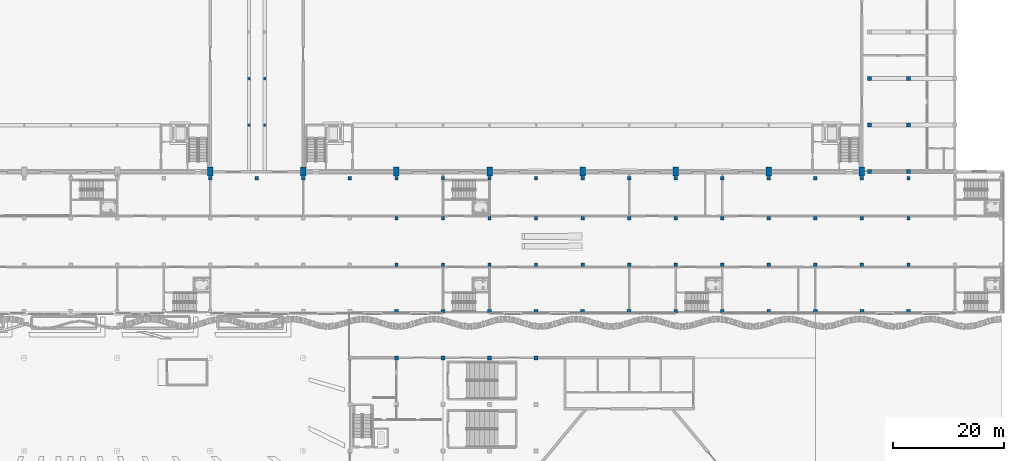
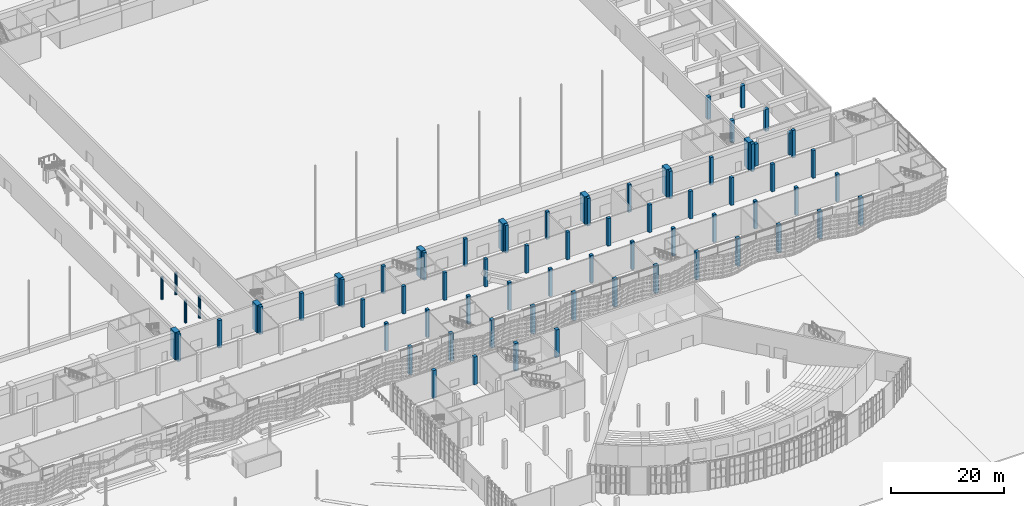
# One storey, part 17 of 210: 74 columns.
"""IFC4 building model written with IfcOpenShell, lengths in metres."""

from ifc_helpers import new_model, si_unit, direction, frame, origin, origin_2d, place, context, subcontext, project, spatial, rectangle, circle, extrude, material, material_profile, profile_set, type_object, element, save


model = new_model("IFC4")

# Units and contexts
model_context = context("Model", 3, precision=1e-05, world=origin(), true_north=direction((0.0, 1.0)))
body_context = subcontext(model_context, "Body", "Model", "MODEL_VIEW")
ifc_project = project(units=[si_unit("LENGTHUNIT", "METRE"), si_unit("AREAUNIT", "SQUARE_METRE"), si_unit("VOLUMEUNIT", "CUBIC_METRE"), si_unit("PLANEANGLEUNIT", "RADIAN"), si_unit("MASSUNIT", "GRAM", prefix="KILO")], contexts=[model_context])

# Site, building, storey
site_placement = place(None, origin())
site = spatial("IfcSite", under=ifc_project, at=site_placement, CompositionType="ELEMENT")
building_placement = place(site_placement, origin())
building = spatial("IfcBuilding", under=site, at=building_placement, Name="Rain Tree Exposition and Congress Centre", CompositionType="ELEMENT")
storey_placement = place(building_placement, origin())
storey = spatial("IfcBuildingStorey", under=building, at=storey_placement, Name="L00", CompositionType="ELEMENT", Elevation=0.0)

# Columns
ifc_material_1 = material(Name="Precast concrete C50/60", Category="concrete")
ifc_material_profile_1 = material_profile(ifc_material_1, rectangle(XDim=1.0, YDim=1.60009765625, at=origin_2d()), Name="RC 1000x1600")
ifc_profile_set_1 = profile_set([ifc_material_profile_1], Name="Precast concrete C50/60")
column_type_1 = type_object("IfcColumnType", Name="Precast column 1000x1600", PredefinedType="COLUMN", material=ifc_profile_set_1)
for number, where, z_axis, x_axis, name in (
    (1, (126.0, 100.800048828125, 0.0), (0.0, 0.0, 1.0), (1.0, 0.0, 0.0), "Expressed column 8"),
    (2, (142.800048828125, 100.800048828125, 0.0), (0.0, 0.0, 1.0), (1.0, 0.0, 0.0), "Expressed column 1"),
    (3, (159.60009765625, 100.800048828125, 0.0), (0.0, 0.0, 1.0), (1.0, 0.0, 0.0), "Expressed column 2"),
    (4, (176.39990234375, 100.800048828125, 0.0), (0.0, 0.0, 1.0), (1.0, 0.0, 0.0), "Expressed column 3"),
    (5, (193.199951171875, 100.800048828125, 0.0), (0.0, 0.0, 1.0), (1.0, 0.0, 0.0), "Expressed column 4"),
    (6, (210.0, 100.800048828125, 0.0), (0.0, 0.0, 1.0), (1.0, 0.0, 0.0), "Expressed column 5"),
    (7, (226.800048828125, 100.800048828125, 0.0), (0.0, 0.0, 1.0), (1.0, 0.0, 0.0), "Expressed column 6"),
    (8, (243.60009765625, 100.800048828125, 0.0), (0.0, 0.0, 1.0), (1.0, 0.0, 0.0), "Expressed column 7"),
):
    element("IfcColumn", number, at=place(storey_placement, frame(where, z_axis=z_axis, x_axis=x_axis)), inside=storey, type_object=column_type_1, Name=name, PredefinedType="COLUMN", context=body_context, shape_type="SweptSolid", body=[
        extrude(rectangle(XDim=1.0, YDim=1.60009765625, at=origin_2d()), origin(), (0.0, 0.0, 1.0), 6.0),
    ])
ifc_material_2 = material(Name="Precast concrete C50/60", Category="concrete")
ifc_material_profile_2 = material_profile(ifc_material_2, rectangle(XDim=0.60009765625, YDim=0.60009765625, at=origin_2d()), Name="RC 600x600")
ifc_profile_set_2 = profile_set([ifc_material_profile_2], Name="Precast concrete C50/60")
column_type_2 = type_object("IfcColumnType", Name="Precast column 600x600", PredefinedType="COLUMN", material=ifc_profile_set_2)
for number, where, z_axis, x_axis, name in (
    (9, (159.60009765625, 84.0, 0.0), (0.0, 0.0, 1.0), (1.0, 0.0, 0.0), "Concourse column L00 B20"),
    (10, (168.0, 84.0, 0.0), (0.0, 0.0, 1.0), (1.0, 0.0, 0.0), "Concourse column L00 B21"),
    (11, (176.39990234375, 84.0, 0.0), (0.0, 0.0, 1.0), (1.0, 0.0, 0.0), "Concourse column L00 B22"),
    (12, (184.800048828125, 84.0, 0.0), (0.0, 0.0, 1.0), (1.0, 0.0, 0.0), "Concourse column L00 B23"),
    (13, (193.199951171875, 84.0, 0.0), (0.0, 0.0, 1.0), (1.0, 0.0, 0.0), "Concourse column L00 B24"),
    (14, (201.60009765625, 84.0, 0.0), (0.0, 0.0, 1.0), (1.0, 0.0, 0.0), "Concourse column L00 B25"),
    (15, (210.0, 84.0, 0.0), (0.0, 0.0, 1.0), (1.0, 0.0, 0.0), "Concourse column L00 B26"),
    (16, (218.39990234375, 84.0, 0.0), (0.0, 0.0, 1.0), (1.0, 0.0, 0.0), "Concourse column L00 B27"),
    (17, (226.800048828125, 84.0, 0.0), (0.0, 0.0, 1.0), (1.0, 0.0, 0.0), "Concourse column L00 B28"),
    (18, (235.199951171875, 84.0, 0.0), (0.0, 0.0, 1.0), (1.0, 0.0, 0.0), "Concourse column L00 B29"),
    (19, (243.60009765625, 84.0, 0.0), (0.0, 0.0, 1.0), (1.0, 0.0, 0.0), "Concourse column L00 B30"),
    (20, (252.0, 84.0, 0.0), (0.0, 0.0, 1.0), (1.0, 0.0, 0.0), "Concourse column L00 B31"),
    (21, (159.60009765625, 92.39990234375, 0.0), (0.0, 0.0, 1.0), (1.0, 0.0, 0.0), "Concourse column L00 C20"),
    (22, (168.0, 92.39990234375, 0.0), (0.0, 0.0, 1.0), (1.0, 0.0, 0.0), "Concourse column L00 C21"),
    (23, (176.39990234375, 92.39990234375, 0.0), (0.0, 0.0, 1.0), (1.0, 0.0, 0.0), "Concourse column L00 C22"),
    (24, (184.800048828125, 92.39990234375, 0.0), (0.0, 0.0, 1.0), (1.0, 0.0, 0.0), "Concourse column L00 C23"),
    (25, (193.199951171875, 92.39990234375, 0.0), (0.0, 0.0, 1.0), (1.0, 0.0, 0.0), "Concourse column L00 C24"),
    (26, (201.60009765625, 92.39990234375, 0.0), (0.0, 0.0, 1.0), (1.0, 0.0, 0.0), "Concourse column L00 C25"),
    (27, (210.0, 92.39990234375, 0.0), (0.0, 0.0, 1.0), (1.0, 0.0, 0.0), "Concourse column L00 C26"),
    (28, (218.39990234375, 92.39990234375, 0.0), (0.0, 0.0, 1.0), (1.0, 0.0, 0.0), "Concourse column L00 C27"),
    (29, (226.800048828125, 92.39990234375, 0.0), (0.0, 0.0, 1.0), (1.0, 0.0, 0.0), "Concourse column L00 C28"),
    (30, (235.199951171875, 92.39990234375, 0.0), (0.0, 0.0, 1.0), (1.0, 0.0, 0.0), "Concourse column L00 C29"),
    (31, (243.60009765625, 92.39990234375, 0.0), (0.0, 0.0, 1.0), (1.0, 0.0, 0.0), "Concourse column L00 C30"),
    (32, (252.0, 92.39990234375, 0.0), (0.0, 0.0, 1.0), (1.0, 0.0, 0.0), "Concourse column L00 C31"),
    (33, (126.0, 99.60009765625, 0.0), (0.0, 0.0, 1.0), (1.0, 0.0, 0.0), "Concourse column L00 D16"),
    (34, (134.39990234375, 99.60009765625, 0.0), (0.0, 0.0, 1.0), (1.0, 0.0, 0.0), "Concourse column L00 D17"),
    (35, (142.800048828125, 99.60009765625, 0.0), (0.0, 0.0, 1.0), (1.0, 0.0, 0.0), "Concourse column L00 D18"),
    (36, (151.199951171875, 99.60009765625, 0.0), (0.0, 0.0, 1.0), (1.0, 0.0, 0.0), "Concourse column L00 D19"),
    (37, (159.60009765625, 99.60009765625, 0.0), (0.0, 0.0, 1.0), (1.0, 0.0, 0.0), "Concourse column L00 D20"),
    (38, (168.0, 99.60009765625, 0.0), (0.0, 0.0, 1.0), (1.0, 0.0, 0.0), "Concourse column L00 D21"),
    (39, (176.39990234375, 99.60009765625, 0.0), (0.0, 0.0, 1.0), (1.0, 0.0, 0.0), "Concourse column L00 D22"),
    (40, (184.800048828125, 99.60009765625, 0.0), (0.0, 0.0, 1.0), (1.0, 0.0, 0.0), "Concourse column L00 D23"),
    (41, (193.199951171875, 99.60009765625, 0.0), (0.0, 0.0, 1.0), (1.0, 0.0, 0.0), "Concourse column L00 D24"),
    (42, (201.60009765625, 99.60009765625, 0.0), (0.0, 0.0, 1.0), (1.0, 0.0, 0.0), "Concourse column L00 D25"),
    (43, (210.0, 99.60009765625, 0.0), (0.0, 0.0, 1.0), (1.0, 0.0, 0.0), "Concourse column L00 D26"),
    (44, (218.39990234375, 99.60009765625, 0.0), (0.0, 0.0, 1.0), (1.0, 0.0, 0.0), "Concourse column L00 D27"),
    (45, (226.800048828125, 99.60009765625, 0.0), (0.0, 0.0, 1.0), (1.0, 0.0, 0.0), "Concourse column L00 D28"),
    (46, (235.199951171875, 99.60009765625, 0.0), (0.0, 0.0, 1.0), (1.0, 0.0, 0.0), "Concourse column L00 D29"),
    (47, (243.60009765625, 99.60009765625, 0.0), (0.0, 0.0, 1.0), (1.0, 0.0, 0.0), "Concourse column L00 D30"),
    (48, (252.0, 99.60009765625, 0.0), (0.0, 0.0, 1.0), (1.0, 0.0, 0.0), "Concourse column L00 D31"),
):
    element("IfcColumn", number, at=place(storey_placement, frame(where, z_axis=z_axis, x_axis=x_axis)), inside=storey, type_object=column_type_2, Name=name, PredefinedType="COLUMN", context=body_context, shape_type="SweptSolid", body=[
        extrude(rectangle(XDim=0.60009765625, YDim=0.60009765625, at=origin_2d()), origin(), (0.0, 0.0, 1.0), 6.0),
    ])
ifc_material_3 = material(Name="Precast concrete C50/60", Category="concrete")
ifc_material_profile_3 = material_profile(ifc_material_3, rectangle(XDim=0.699951171875, YDim=0.699951171875, at=origin_2d()), Name="RC 700x700")
ifc_profile_set_3 = profile_set([ifc_material_profile_3], Name="Precast concrete C50/60")
column_type_3 = type_object("IfcColumnType", Name="Precast column 700x700", PredefinedType="COLUMN", material=ifc_profile_set_3)
for number, where, z_axis, x_axis, name in (
    (49, (245.0, 100.800048828125, 0.0), (0.0, 0.0, 1.0), (1.0, 0.0, 0.0), "Service block column 1"),
    (50, (245.0, 109.199951171875, 0.0), (0.0, 0.0, 1.0), (1.0, 0.0, 0.0), "Service block column 2"),
    (51, (245.0, 117.60009765625, 0.0), (0.0, 0.0, 1.0), (1.0, 0.0, 0.0), "Service block column 3"),
    (52, (252.0, 100.800048828125, 0.0), (0.0, 0.0, 1.0), (1.0, 0.0, 0.0), "Service block column 14"),
    (53, (252.0, 109.199951171875, 0.0), (0.0, 0.0, 1.0), (1.0, 0.0, 0.0), "Service block column 15"),
    (54, (252.0, 117.60009765625, 0.0), (0.0, 0.0, 1.0), (1.0, 0.0, 0.0), "Service block column 16"),
):
    element("IfcColumn", number, at=place(storey_placement, frame(where, z_axis=z_axis, x_axis=x_axis)), inside=storey, type_object=column_type_3, Name=name, PredefinedType="COLUMN", context=body_context, shape_type="SweptSolid", body=[
        extrude(rectangle(XDim=0.699951171875, YDim=0.699951171875, at=origin_2d()), origin(), (0.0, 0.0, 1.0), 4.800048828125),
    ])
for number, where, z_axis, x_axis, name in (
    (55, (159.60009765625, 67.199951171875, 0.0), (0.0, 0.0, 1.0), (1.0, 0.0, 0.0), "CF159.6-67.2"),
    (56, (168.0, 67.199951171875, 0.0), (0.0, 0.0, 1.0), (1.0, 0.0, 0.0), "CF168-67.2"),
    (57, (176.39990234375, 67.199951171875, 0.0), (0.0, 0.0, 1.0), (1.0, 0.0, 0.0), "CF176.4-67.2"),
    (58, (184.800048828125, 67.199951171875, 0.0), (0.0, 0.0, 1.0), (1.0, 0.0, 0.0), "CF184.8-67.2"),
    (59, (159.60009765625, 75.60009765625, 0.0), (0.0, 0.0, 1.0), (1.0, 0.0, 0.0), "Concourse column L00 A20"),
    (60, (168.0, 75.60009765625, 0.0), (0.0, 0.0, 1.0), (1.0, 0.0, 0.0), "Concourse column L00 A21"),
    (61, (176.39990234375, 75.60009765625, 0.0), (0.0, 0.0, 1.0), (1.0, 0.0, 0.0), "Concourse column L00 A22"),
    (62, (184.800048828125, 75.60009765625, 0.0), (0.0, 0.0, 1.0), (1.0, 0.0, 0.0), "Concourse column L00 A23"),
    (63, (193.199951171875, 75.60009765625, 0.0), (0.0, 0.0, 1.0), (1.0, 0.0, 0.0), "Concourse column L00 A24"),
    (64, (201.60009765625, 75.60009765625, 0.0), (0.0, 0.0, 1.0), (1.0, 0.0, 0.0), "Concourse column L00 A25"),
    (65, (210.0, 75.60009765625, 0.0), (0.0, 0.0, 1.0), (1.0, 0.0, 0.0), "Concourse column L00 A26"),
    (66, (218.39990234375, 75.60009765625, 0.0), (0.0, 0.0, 1.0), (1.0, 0.0, 0.0), "Concourse column L00 A27"),
    (67, (226.800048828125, 75.60009765625, 0.0), (0.0, 0.0, 1.0), (1.0, 0.0, 0.0), "Concourse column L00 A28"),
    (68, (235.199951171875, 75.60009765625, 0.0), (0.0, 0.0, 1.0), (1.0, 0.0, 0.0), "Concourse column L00 A29"),
    (69, (243.60009765625, 75.60009765625, 0.0), (0.0, 0.0, 1.0), (1.0, 0.0, 0.0), "Concourse column L00 A30"),
    (70, (252.0, 75.60009765625, 0.0), (0.0, 0.0, 1.0), (1.0, 0.0, 0.0), "Concourse column L00 A31"),
):
    element("IfcColumn", number, at=place(storey_placement, frame(where, z_axis=z_axis, x_axis=x_axis)), inside=storey, type_object=column_type_3, Name=name, PredefinedType="COLUMN", context=body_context, shape_type="SweptSolid", body=[
        extrude(rectangle(XDim=0.699951171875, YDim=0.699951171875, at=origin_2d()), origin(), (0.0, 0.0, 1.0), 6.0),
    ])
ifc_material_4 = material(Name="Precast concrete C50/60", Category="concrete")
ifc_material_profile_4 = material_profile(ifc_material_4, circle(Radius=0.25, at=origin_2d()), Name="RC D500")
ifc_profile_set_4 = profile_set([ifc_material_profile_4], Name="Precast concrete C50/60")
column_type_4 = type_object("IfcColumnType", Name="Precast round column 500", PredefinedType="COLUMN", material=ifc_profile_set_4)
for number, where, z_axis, x_axis, name in (
    (71, (133.0, 109.199951171875, 0.0), (0.0, 0.0, 1.0), (1.0, 0.0, 0.0), "Link walk column 00"),
    (72, (135.85009765625, 109.199951171875, 0.0), (0.0, 0.0, 1.0), (1.0, 0.0, 0.0), "Link walk column 01"),
    (73, (133.0, 117.60009765625, 0.0), (0.0, 0.0, 1.0), (1.0, 0.0, 0.0), "Link walk column 10"),
    (74, (135.85009765625, 117.60009765625, 0.0), (0.0, 0.0, 1.0), (1.0, 0.0, 0.0), "Link walk column 11"),
):
    element("IfcColumn", number, at=place(storey_placement, frame(where, z_axis=z_axis, x_axis=x_axis)), inside=storey, type_object=column_type_4, Name=name, PredefinedType="COLUMN", context=body_context, shape_type="SweptSolid", body=[
        extrude(circle(Radius=0.25, at=origin_2d()), origin(), (0.0, 0.0, 1.0), 4.800048828125),
    ])

save(model, "model.ifc")
